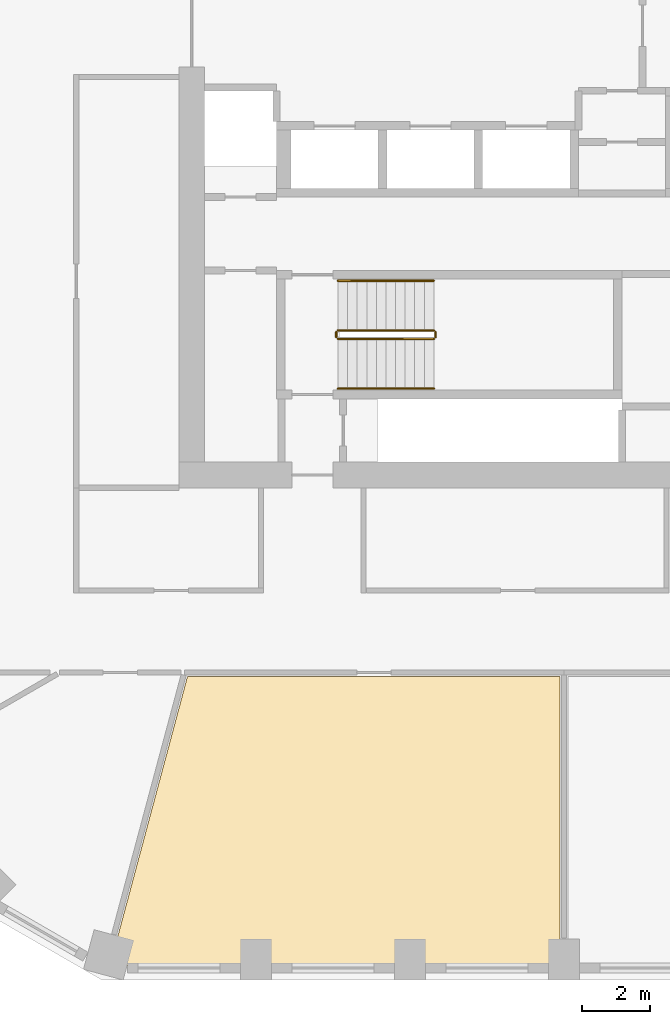
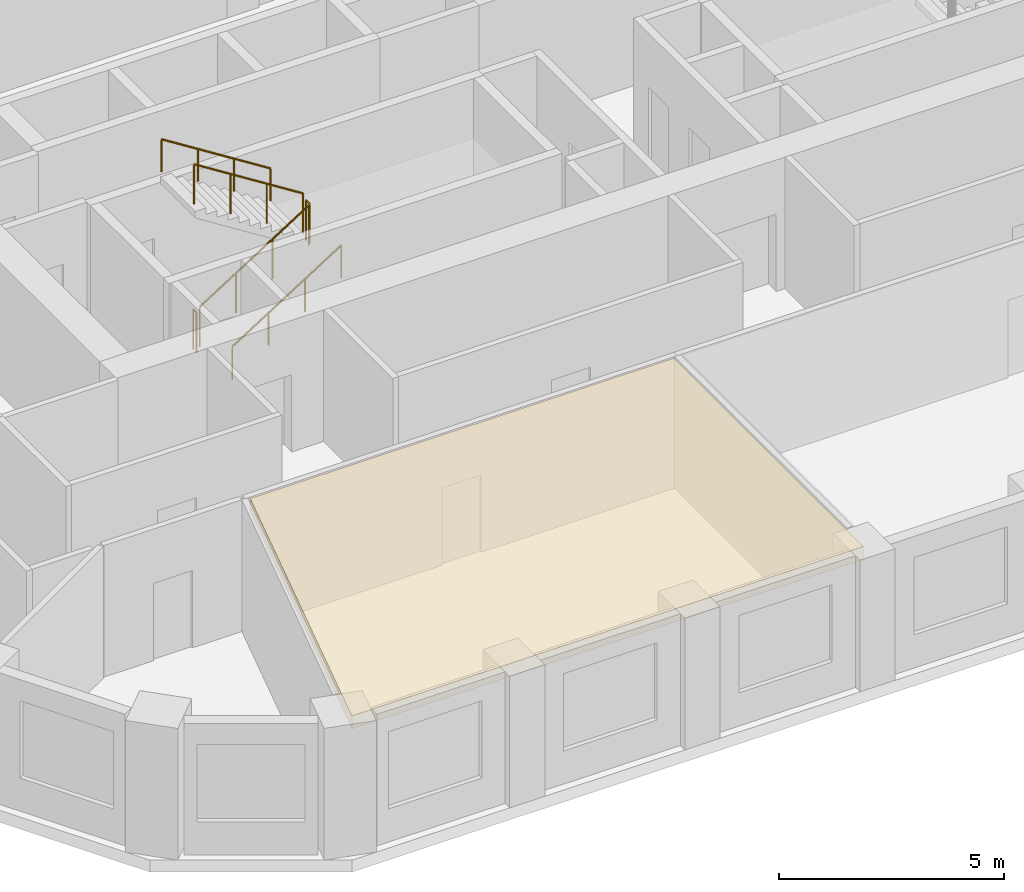
# One storey, part 10 of 14: 6 railings, 1 covering.
"""IFC4 building model written with IfcOpenShell, lengths in metres."""

from ifc_helpers import new_model, si_unit, direction, frame, origin, origin_2d, place, context, subcontext, project, spatial, polyline, circle, outline, extrude, material, layer, layer_set, type_object, element, save


model = new_model("IFC4")

# Units and contexts
model_context = context("Model", 3, precision=1e-05, world=origin(), true_north=direction((0.0, 1.0)))
body_context = subcontext(model_context, "Body", "Model", "MODEL_VIEW")
ifc_project = project(units=[si_unit("LENGTHUNIT", "METRE"), si_unit("AREAUNIT", "SQUARE_METRE"), si_unit("VOLUMEUNIT", "CUBIC_METRE"), si_unit("PLANEANGLEUNIT", "RADIAN"), si_unit("MASSUNIT", "GRAM", prefix="KILO")], contexts=[model_context])

# Site, building, storey
site_placement = place(None, origin())
site = spatial("IfcSite", under=ifc_project, at=site_placement, CompositionType="ELEMENT")
building_placement = place(site_placement, origin())
building = spatial("IfcBuilding", under=site, at=building_placement, Name="Dhurran Vertical Campus", CompositionType="ELEMENT")
storey_placement = place(building_placement, frame((0.0, 0.0, 140.39990234375)))
storey = spatial("IfcBuildingStorey", under=building, at=storey_placement, Name="L34", CompositionType="ELEMENT", Elevation=140.39990234375)

# Railings
ifc_material_1 = material(Name="Stainless steel balustrade", Category="steel")
railing_type_1 = type_object("IfcRailingType", Name="co-RL-GUARD-1100", PredefinedType="GUARDRAIL", material=ifc_material_1)
railing_1_placement = place(storey_placement, frame((-11.10009765625, -9.14990234375, 0.177490234375)))
element("IfcRailing", 1, at=railing_1_placement, inside=storey, type_object=railing_type_1, Name="L34 ST3 stair guard 1", PredefinedType="GUARDRAIL", context=body_context, shape_type="SweptSolid", body=[
    extrude(circle(Radius=0.02392578125, at=origin_2d()), frame((0.0, 0.0, 1.076171875), z_axis=(0.844908973607, 0.0, 0.534910110503), x_axis=(0.0, 1.0, 0.0)), (0.0, 0.0, 1.0), 3.31396484375),
    extrude(circle(Radius=0.02099609375, at=origin_2d()), origin(), (0.0, 0.0, 1.0), 1.052001953125),
    extrude(circle(Radius=0.02099609375, at=origin_2d()), frame((0.933349609375, 0.0, 0.5908203125)), (0.0, 0.0, 1.0), 1.052001953125),
    extrude(circle(Radius=0.02099609375, at=origin_2d()), frame((1.86669921875, 0.0, 1.181884765625)), (0.0, 0.0, 1.0), 1.052001953125),
    extrude(circle(Radius=0.02099609375, at=origin_2d()), frame((2.800048828125, 0.0, 1.772705078125)), (0.0, 0.0, 1.0), 1.052001953125),
])
railing_2_placement = place(storey_placement, frame((-8.25, -9.10009765625, 1.9501953125)))
element("IfcRailing", 2, at=railing_2_placement, inside=storey, type_object=railing_type_1, Name="L34 ST3 stair guard 2", PredefinedType="GUARDRAIL", context=body_context, shape_type="SweptSolid", body=[
    extrude(circle(Radius=0.02392578125, at=origin_2d()), frame((0.0, 0.0, 1.076171875), z_axis=(0.0, 1.0, 0.0), x_axis=(-1.0, 0.0, 0.0)), (0.0, 0.0, 1.0), 0.150146484375),
    extrude(circle(Radius=0.02099609375, at=origin_2d()), origin(), (0.0, 0.0, 1.0), 1.052001953125),
    extrude(circle(Radius=0.02099609375, at=origin_2d()), frame((0.0, 0.150146484375, 0.0)), (0.0, 0.0, 1.0), 1.052001953125),
])
railing_3_placement = place(storey_placement, frame((-8.300048828125, -8.89990234375, 2.12744140625)))
element("IfcRailing", 3, at=railing_3_placement, inside=storey, type_object=railing_type_1, Name="L34 ST3 stair guard 3", PredefinedType="GUARDRAIL", context=body_context, shape_type="SweptSolid", body=[
    extrude(circle(Radius=0.02392578125, at=origin_2d()), frame((0.0, 0.0, 1.076171875), z_axis=(-0.844908973607, 0.0, 0.534910110503), x_axis=(0.0, -1.0, 0.0)), (0.0, 0.0, 1.0), 3.31396484375),
    extrude(circle(Radius=0.02099609375, at=origin_2d()), origin(), (0.0, 0.0, 1.0), 1.052001953125),
    extrude(circle(Radius=0.02099609375, at=origin_2d()), frame((-0.933349609375, 0.0, 0.5908203125)), (0.0, 0.0, 1.0), 1.052001953125),
    extrude(circle(Radius=0.02099609375, at=origin_2d()), frame((-1.86669921875, 0.0, 1.181884765625)), (0.0, 0.0, 1.0), 1.052001953125),
    extrude(circle(Radius=0.02099609375, at=origin_2d()), frame((-2.800048828125, 0.0, 1.772705078125)), (0.0, 0.0, 1.0), 1.052001953125),
])
railing_4_placement = place(storey_placement, frame((-11.14990234375, -9.10009765625, 0.0)))
element("IfcRailing", 4, at=railing_4_placement, inside=storey, type_object=railing_type_1, Name="L34 ST3 stair guard 4", PredefinedType="GUARDRAIL", context=body_context, shape_type="SweptSolid", body=[
    extrude(circle(Radius=0.02392578125, at=origin_2d()), frame((0.0, 0.0, 1.076171875), z_axis=(0.0, 1.0, 0.0), x_axis=(-1.0, 0.0, 0.0)), (0.0, 0.0, 1.0), 0.150146484375),
    extrude(circle(Radius=0.02099609375, at=origin_2d()), origin(), (0.0, 0.0, 1.0), 1.052001953125),
    extrude(circle(Radius=0.02099609375, at=origin_2d()), frame((0.0, 0.150146484375, 0.0)), (0.0, 0.0, 1.0), 1.052001953125),
])
ifc_material_2 = material(Name="Stainless steel handrail", Category="steel")
railing_type_2 = type_object("IfcRailingType", Name="co-RL-HANDRAIL-900", PredefinedType="HANDRAIL", material=ifc_material_2)
railing_5_placement = place(storey_placement, frame((-11.10009765625, -10.60009765625, 0.177490234375)))
element("IfcRailing", 5, at=railing_5_placement, inside=storey, type_object=railing_type_2, Name="L34 ST3 stair handrail 1", PredefinedType="HANDRAIL", context=body_context, shape_type="SweptSolid", body=[
    extrude(circle(Radius=0.02392578125, at=origin_2d()), frame((0.0, 0.0, 0.8759765625), z_axis=(0.844908973607, 0.0, 0.534910110503), x_axis=(0.0, 1.0, 0.0)), (0.0, 0.0, 1.0), 3.31396484375),
    extrude(circle(Radius=0.02099609375, at=origin_2d()), origin(), (0.0, 0.0, 1.0), 0.851806640625),
    extrude(circle(Radius=0.02099609375, at=origin_2d()), frame((0.933349609375, 0.0, 0.5908203125)), (0.0, 0.0, 1.0), 0.851806640625),
    extrude(circle(Radius=0.02099609375, at=origin_2d()), frame((1.86669921875, 0.0, 1.181884765625)), (0.0, 0.0, 1.0), 0.851806640625),
    extrude(circle(Radius=0.02099609375, at=origin_2d()), frame((2.800048828125, 0.0, 1.772705078125)), (0.0, 0.0, 1.0), 0.851806640625),
])
railing_6_placement = place(storey_placement, frame((-8.300048828125, -7.449951171875, 2.12744140625)))
element("IfcRailing", 6, at=railing_6_placement, inside=storey, type_object=railing_type_2, Name="L34 ST3 stair handrail 2", PredefinedType="HANDRAIL", context=body_context, shape_type="SweptSolid", body=[
    extrude(circle(Radius=0.02392578125, at=origin_2d()), frame((0.0, 0.0, 0.8759765625), z_axis=(-0.844908973607, 0.0, 0.534910110503), x_axis=(0.0, -1.0, 0.0)), (0.0, 0.0, 1.0), 3.31396484375),
    extrude(circle(Radius=0.02099609375, at=origin_2d()), origin(), (0.0, 0.0, 1.0), 0.851806640625),
    extrude(circle(Radius=0.02099609375, at=origin_2d()), frame((-0.933349609375, 0.0, 0.5908203125)), (0.0, 0.0, 1.0), 0.851806640625),
    extrude(circle(Radius=0.02099609375, at=origin_2d()), frame((-1.86669921875, 0.0, 1.181884765625)), (0.0, 0.0, 1.0), 0.851806640625),
    extrude(circle(Radius=0.02099609375, at=origin_2d()), frame((-2.800048828125, 0.0, 1.772705078125)), (0.0, 0.0, 1.0), 0.851806640625),
])

# Covering
ifc_material_3 = material(Name="Mineral fibre ceiling tiles on suspended grid")
ifc_layer = layer(ifc_material_3, 0.35009765625)
ifc_layer_set = layer_set([ifc_layer], Name="Mineral fibre ceiling tiles on suspended grid")
covering_type = type_object("IfcCoveringType", Name="fl-CE-350 suspended ceiling", PredefinedType="CEILING", material=ifc_layer_set)
covering_placement = place(storey_placement, frame((0.0, 0.0, 3.22509765625)))
element("IfcCovering", 7, at=covering_placement, inside=storey, type_object=covering_type, Name="Ceiling 34-17", PredefinedType="CEILING", context=body_context, shape_type="SweptSolid", body=[
    extrude(outline(polyline([(-4.6201171875, -27.462890625), (-17.763916015625, -27.462890625), (-15.5009765625, -19.02001953125), (-4.6201171875, -19.02001953125), (-4.6201171875, -27.462890625)])), origin(), (0.0, 0.0, 1.0), 0.35009765625),
])

save(model, "model.ifc")
